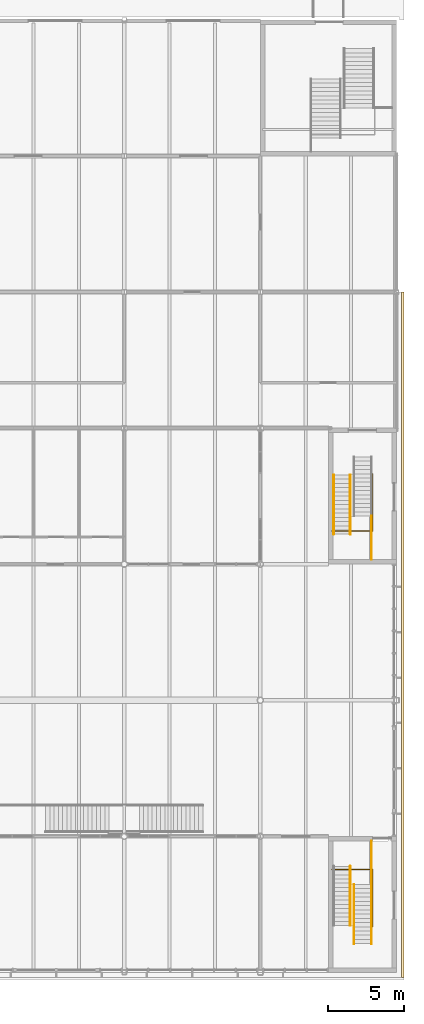
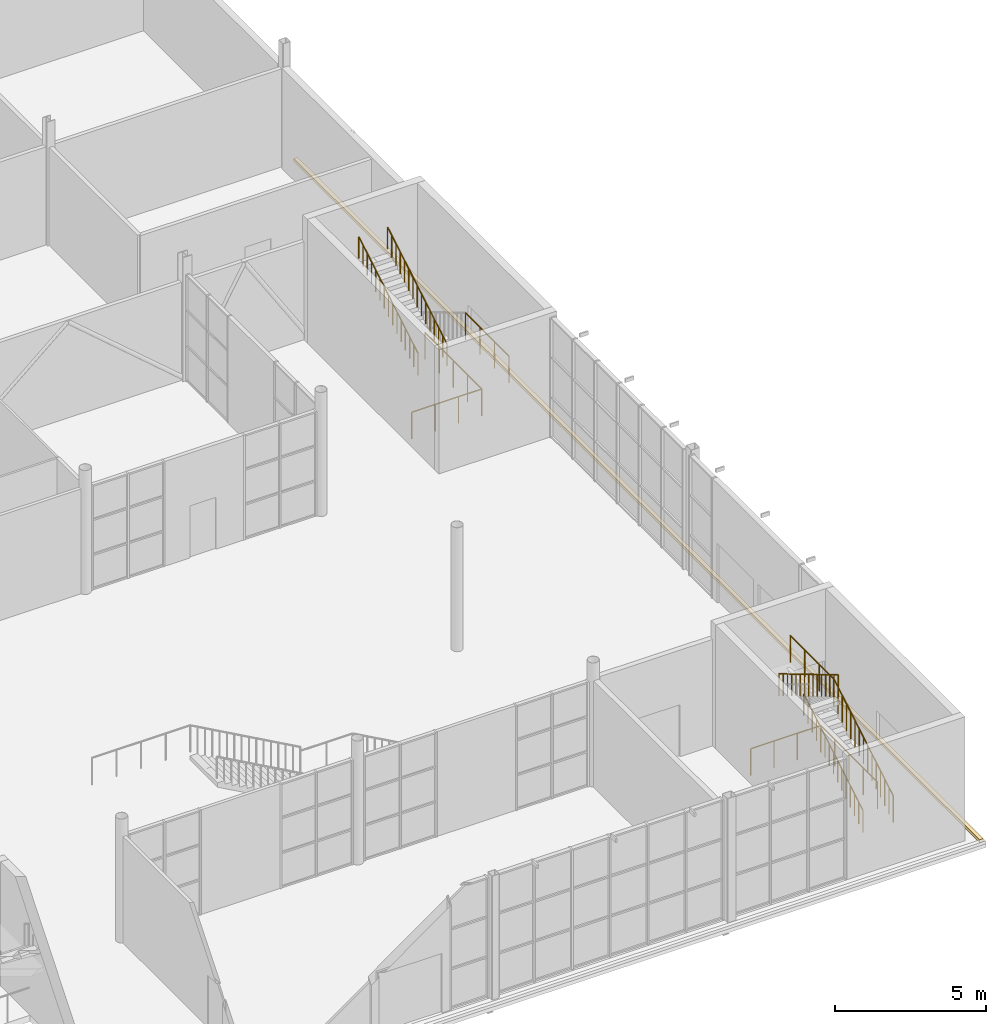
# One storey, part 59 of 63: 9 railings, 1 covering.
"""IFC4 building model written with IfcOpenShell, lengths in metres."""

import ifcopenshell
import ifcopenshell.guid

model = None  # the IFC model being written
_history = None  # IfcOwnerHistory: only IFC2X3 demands one
_inside = {}  # id of a spatial element -> (the spatial element, [elements in it])
_under = {}  # id of a project, library or spatial element -> (it, [spatial elements below it])
_declared = {}  # id of a project -> (the project, [libraries it declares])
_typed = {}  # id of a type object -> (the type object, [elements of that type])
_made_of = {}  # id of a material, layer set ... -> (it, [elements and type objects made of it])


def new_model(schema):
    """Start an empty IFC model of exactly this schema.

    Asked for "IFC4X3", IfcOpenShell would pick the latest addendum, in which some entities
    have other attributes; the version numbers below select the first issue.
    IFC2X3 requires an IfcOwnerHistory on every rooted entity: one is made here for all.
    """
    global model, _history
    if schema == "IFC4X3":
        model = ifcopenshell.file(schema_version=(4, 3, 0, 0))
    else:
        model = ifcopenshell.file(schema=schema)
    _inside.clear()
    _under.clear()
    _declared.clear()
    _typed.clear()
    _made_of.clear()
    _history = None
    if model.schema == "IFC2X3":
        org = make("IfcOrganization", Name="unknown")
        user = make(
            "IfcPersonAndOrganization",
            ThePerson=make("IfcPerson", FamilyName="unknown"),
            TheOrganization=org,
        )
        app = make(
            "IfcApplication",
            ApplicationDeveloper=org,
            Version="unknown",
            ApplicationFullName="unknown",
            ApplicationIdentifier="unknown",
        )
        _history = make(
            "IfcOwnerHistory",
            OwningUser=user,
            OwningApplication=app,
            ChangeAction="ADDED",
            CreationDate=0,
        )
    return model


def make(cls, **values):
    """One entity of the class cls with the attributes given. An attribute that is None is left unset."""
    return model.create_entity(
        cls, **{name: value for name, value in values.items() if value is not None}
    )


def rooted(cls, **values):
    """An entity with a GlobalId (a new one), such as an element, a storey or a relation."""
    return make(cls, GlobalId=ifcopenshell.guid.new(), OwnerHistory=_history, **values)


def si_unit(unit_type, name, prefix=None):
    """IfcSIUnit, for example si_unit("LENGTHUNIT", "METRE", prefix="MILLI")."""
    return make("IfcSIUnit", UnitType=unit_type, Prefix=prefix, Name=name)


def assignment(units):
    """IfcUnitAssignment: the units of a project."""
    return None if units is None else make("IfcUnitAssignment", Units=units)


def point(xyz):
    """IfcCartesianPoint."""
    return None if xyz is None else make("IfcCartesianPoint", Coordinates=xyz)


def direction(xyz):
    """IfcDirection."""
    return None if xyz is None else make("IfcDirection", DirectionRatios=xyz)


def frame(location, z_axis=None, x_axis=None):
    """IfcAxis2Placement3D, a coordinate frame: its origin and axes. An axis left out is left unset."""
    return make(
        "IfcAxis2Placement3D",
        Location=point(location),
        Axis=direction(z_axis),
        RefDirection=direction(x_axis),
    )


def frame_2d(location, x_axis=None):
    """IfcAxis2Placement2D, a coordinate frame in the plane: its origin and x axis."""
    return make(
        "IfcAxis2Placement2D", Location=point(location), RefDirection=direction(x_axis)
    )


def origin():
    """The frame at (0, 0, 0) with its axes left unset."""
    return frame((0.0, 0.0, 0.0))


def origin_2d():
    """The frame at (0, 0) in the plane with its x axis left unset."""
    return frame_2d((0.0, 0.0))


def place(relative_to, where):
    """IfcLocalPlacement: puts the frame where relative to a parent placement (None: the world)."""
    return make(
        "IfcLocalPlacement", PlacementRelTo=relative_to, RelativePlacement=where
    )


def context(
    kind, dimensions, precision=None, world=None, true_north=None, identifier=None
):
    """IfcGeometricRepresentationContext, for example the 3D "Model" context."""
    return make(
        "IfcGeometricRepresentationContext",
        ContextIdentifier=identifier,
        ContextType=kind,
        CoordinateSpaceDimension=dimensions,
        Precision=precision,
        WorldCoordinateSystem=world,
        TrueNorth=true_north,
    )


def subcontext(parent, identifier, kind, view, scale=None):
    """IfcGeometricRepresentationSubContext, for example "Body" below "Model"."""
    return make(
        "IfcGeometricRepresentationSubContext",
        ContextIdentifier=identifier,
        ContextType=kind,
        ParentContext=parent,
        TargetScale=scale,
        TargetView=view,
    )


def project(units=None, contexts=None):
    """IfcProject with its units and contexts."""
    return rooted(
        "IfcProject",
        Name="project",
        RepresentationContexts=contexts,
        UnitsInContext=assignment(units),
    )


def spatial(cls, under=None, at=None, **own):
    """A site, building, storey or space (cls), placed at a placement, below another one or the project."""
    s = rooted(cls, ObjectPlacement=at, **own)
    if under is not None:
        _under.setdefault(under.id(), (under, []))[1].append(s)
    return s


def polyline(points):
    """IfcPolyline through the points."""
    return make("IfcPolyline", Points=[point(p) for p in points])


def profile(cls, at=None, kind="AREA", **sizes):
    """A parametric profile (cls). Its sizes go by their IFC names, for example OverallWidth=200.0."""
    return make(cls, ProfileType=kind, Position=at, **sizes)


def circle(**sizes):
    """IfcCircleProfileDef."""
    return profile("IfcCircleProfileDef", **sizes)


def outline(outer, holes=None, kind="AREA"):
    """IfcArbitraryClosedProfileDef: a profile drawn as a closed curve; with holes, ...WithVoids."""
    if holes is None:
        return make("IfcArbitraryClosedProfileDef", ProfileType=kind, OuterCurve=outer)
    return make(
        "IfcArbitraryProfileDefWithVoids",
        ProfileType=kind,
        OuterCurve=outer,
        InnerCurves=holes,
    )


def extrude(swept, where, along, depth):
    """IfcExtrudedAreaSolid: the profile swept, set in the frame where, extruded along a direction by depth."""
    return make(
        "IfcExtrudedAreaSolid",
        SweptArea=swept,
        Position=where,
        ExtrudedDirection=direction(along),
        Depth=depth,
    )


def shape(context_of_items, identifier, shape_type, items):
    """IfcShapeRepresentation: the items that make up one representation, for example the "Body"."""
    return make(
        "IfcShapeRepresentation",
        ContextOfItems=context_of_items,
        RepresentationIdentifier=identifier,
        RepresentationType=shape_type,
        Items=items,
    )


def material(Name=None, Category=None):
    """IfcMaterial."""
    return make("IfcMaterial", Name=Name, Category=Category)


def layer(
    of_material, thickness, ventilated=None, Name=None, Category=None, Priority=None
):
    """IfcMaterialLayer: one layer of a wall or slab, of a material (None: an air gap)."""
    return make(
        "IfcMaterialLayer",
        Material=of_material,
        LayerThickness=thickness,
        IsVentilated=ventilated,
        Name=Name,
        Category=Category,
        Priority=Priority,
    )


def layer_set(layers, Name=None):
    """IfcMaterialLayerSet."""
    return make("IfcMaterialLayerSet", MaterialLayers=layers, LayerSetName=Name)


def made_of(thing, what):
    """Note that an element or type object is made of a material, layer set ...; save() writes the relation."""
    if what is not None:
        _made_of.setdefault(what.id(), (what, []))[1].append(thing)
    return thing


def type_object(cls, material=None, **own):
    """A type object (cls), such as IfcWallType, which elements share."""
    return made_of(rooted(cls, **own), material)


def element(
    cls,
    number,
    at=None,
    inside=None,
    cuts=None,
    type_object=None,
    material=None,
    context=None,
    identifier="Body",
    shape_type=None,
    held_by="IfcProductDefinitionShape",
    body=None,
    shapes=None,
    **own,
):
    """One element of the class cls, such as IfcWall. Its Tag is "e" and its number.

    at: its placement. inside: the storey or other place that contains it. cuts: it is an
    opening in that element (IfcRelVoidsElement). A single representation is given by context,
    identifier, shape_type and body (its items); several are given by shapes. held_by: the class
    of the entity that holds the representations. save() writes the other relations.
    """
    e = rooted(cls, Tag="e%d" % number, ObjectPlacement=at, **own)
    if body is not None:
        shapes = [shape(context, identifier, shape_type, body)]
    if shapes is not None:
        e.Representation = make(held_by, Representations=shapes)
    if inside is not None:
        _inside.setdefault(inside.id(), (inside, []))[1].append(e)
    if cuts is not None:
        rooted(
            "IfcRelVoidsElement", RelatingBuildingElement=cuts, RelatedOpeningElement=e
        )
    if type_object is not None:
        _typed.setdefault(type_object.id(), (type_object, []))[1].append(e)
    return made_of(e, material)


def aggregate(whole, parts):
    """IfcRelAggregates: a whole, such as a stair, and the parts it consists of."""
    return rooted("IfcRelAggregates", RelatingObject=whole, RelatedObjects=parts)


def save(model, path):
    """Write the relations noted so far, then the file.

    IfcRelAggregates (storeys below a building ...), IfcRelContainedInSpatialStructure (elements
    in a storey), IfcRelDefinesByType, IfcRelAssociatesMaterial and IfcRelDeclares: one each for
    every whole, place, type object, material and project.
    """
    for whole, parts in _under.values():
        aggregate(whole, parts)
    for where, things in _inside.values():
        rooted(
            "IfcRelContainedInSpatialStructure",
            RelatedElements=things,
            RelatingStructure=where,
        )
    for kind, things in _typed.values():
        rooted("IfcRelDefinesByType", RelatedObjects=things, RelatingType=kind)
    for what, things in _made_of.values():
        rooted("IfcRelAssociatesMaterial", RelatedObjects=things, RelatingMaterial=what)
    for by, libraries in _declared.values():
        rooted("IfcRelDeclares", RelatingContext=by, RelatedDefinitions=libraries)
    model.write(path)


model = new_model("IFC4")

# Units and contexts
model_context = context("Model", 3, precision=1e-05, world=origin(), true_north=direction((0.0, 1.0)))
body_context = subcontext(model_context, "Body", "Model", "MODEL_VIEW")
ifc_project = project(units=[si_unit("LENGTHUNIT", "METRE"), si_unit("AREAUNIT", "SQUARE_METRE"), si_unit("VOLUMEUNIT", "CUBIC_METRE"), si_unit("PLANEANGLEUNIT", "RADIAN"), si_unit("MASSUNIT", "GRAM", prefix="KILO")], contexts=[model_context])

# Site, building, storey
site_placement = place(None, origin())
site = spatial("IfcSite", under=ifc_project, at=site_placement, CompositionType="ELEMENT")
building_placement = place(site_placement, origin())
building = spatial("IfcBuilding", under=site, at=building_placement, Name="Halyard Row Museum", CompositionType="ELEMENT")
storey_placement = place(building_placement, origin())
storey = spatial("IfcBuildingStorey", under=building, at=storey_placement, Name="L00", CompositionType="ELEMENT", Elevation=0.0)

# Railings
ifc_material_1 = material(Name="Steel Grade 300", Category="steel")
railing_type_1 = type_object("IfcRailingType", Name="Guard GR2 steel balustrade 1100", PredefinedType="GUARDRAIL", material=ifc_material_1)
railing_1_placement = place(storey_placement, frame((106.35009765625, 1.89990234375, 0.166748046875)))
element("IfcRailing", 1, at=railing_1_placement, inside=storey, type_object=railing_type_1, Name="Guard GR052", PredefinedType="GUARDRAIL", context=body_context, shape_type="SweptSolid", body=[
    extrude(circle(Radius=0.02392578125, at=origin_2d()), frame((0.0, 0.0, 1.076171875), z_axis=(0.0, 0.859535888021, 0.511075392877), x_axis=(-1.0, 0.0, 0.0)), (0.0, 0.0, 1.0), 0.32568359375),
    extrude(circle(Radius=0.02392578125, at=origin_2d()), frame((0.0, 0.280029296875, 1.24267578125), z_axis=(0.0, 0.859206643714, 0.511628716353), x_axis=(-1.0, 0.0, 0.0)), (0.0, 0.0, 1.0), 0.325927734375),
    extrude(circle(Radius=0.02392578125, at=origin_2d()), frame((0.0, 0.56005859375, 1.4091796875), z_axis=(0.0, 0.859206643714, 0.511628716353), x_axis=(-1.0, 0.0, 0.0)), (0.0, 0.0, 1.0), 0.325927734375),
    extrude(circle(Radius=0.02392578125, at=origin_2d()), frame((0.0, 0.840087890625, 1.576171875), z_axis=(0.0, 0.859535888021, 0.511075392877), x_axis=(-1.0, 0.0, 0.0)), (0.0, 0.0, 1.0), 0.32568359375),
    extrude(circle(Radius=0.02392578125, at=origin_2d()), frame((0.0, 1.1201171875, 1.74267578125), z_axis=(0.0, 0.859206643714, 0.511628716353), x_axis=(-1.0, 0.0, 0.0)), (0.0, 0.0, 1.0), 0.325927734375),
    extrude(circle(Radius=0.02392578125, at=origin_2d()), frame((0.0, 1.400146484375, 1.9091796875), z_axis=(0.0, 0.859206643714, 0.511628716353), x_axis=(-1.0, 0.0, 0.0)), (0.0, 0.0, 1.0), 0.325927734375),
    extrude(circle(Radius=0.02392578125, at=origin_2d()), frame((0.0, 1.68017578125, 2.076171875), z_axis=(0.0, 0.859535888021, 0.511075392877), x_axis=(-1.0, 0.0, 0.0)), (0.0, 0.0, 1.0), 0.32568359375),
    extrude(circle(Radius=0.02392578125, at=origin_2d()), frame((0.0, 1.960205078125, 2.24267578125), z_axis=(0.0, 0.859010369412, 0.511958187006), x_axis=(-1.0, 0.0, 0.0)), (0.0, 0.0, 1.0), 0.32568359375),
    extrude(circle(Radius=0.02392578125, at=origin_2d()), frame((0.0, 2.239990234375, 2.4091796875), z_axis=(0.0, 0.859206643714, 0.511628716353), x_axis=(-1.0, 0.0, 0.0)), (0.0, 0.0, 1.0), 0.325927734375),
    extrude(circle(Radius=0.02392578125, at=origin_2d()), frame((0.0, 2.52001953125, 2.576171875), z_axis=(0.0, 0.859535888021, 0.511075392877), x_axis=(-1.0, 0.0, 0.0)), (0.0, 0.0, 1.0), 0.32568359375),
    extrude(circle(Radius=0.02392578125, at=origin_2d()), frame((0.0, 2.800048828125, 2.74267578125), z_axis=(0.0, 0.859206643714, 0.511628716353), x_axis=(-1.0, 0.0, 0.0)), (0.0, 0.0, 1.0), 0.325927734375),
    extrude(circle(Radius=0.02392578125, at=origin_2d()), frame((0.0, 3.080078125, 2.9091796875), z_axis=(0.0, 0.859206643714, 0.511628716353), x_axis=(-1.0, 0.0, 0.0)), (0.0, 0.0, 1.0), 0.325927734375),
    extrude(circle(Radius=0.02392578125, at=origin_2d()), frame((0.0, 3.360107421875, 3.076171875), z_axis=(0.0, 0.859535888021, 0.511075392877), x_axis=(-1.0, 0.0, 0.0)), (0.0, 0.0, 1.0), 0.32568359375),
    extrude(circle(Radius=0.02392578125, at=origin_2d()), frame((0.0, 3.64013671875, 3.24267578125), z_axis=(0.0, 0.859206643714, 0.511628716353), x_axis=(-1.0, 0.0, 0.0)), (0.0, 0.0, 1.0), 0.325927734375),
    extrude(circle(Radius=0.02099609375, at=origin_2d()), origin(), (0.0, 0.0, 1.0), 1.052001953125),
    extrude(circle(Radius=0.02099609375, at=origin_2d()), frame((0.0, 0.280029296875, 0.16650390625)), (0.0, 0.0, 1.0), 1.052001953125),
    extrude(circle(Radius=0.02099609375, at=origin_2d()), frame((0.0, 0.56005859375, 0.333251953125)), (0.0, 0.0, 1.0), 1.052001953125),
    extrude(circle(Radius=0.02099609375, at=origin_2d()), frame((0.0, 0.840087890625, 0.5)), (0.0, 0.0, 1.0), 1.052001953125),
    extrude(circle(Radius=0.02099609375, at=origin_2d()), frame((0.0, 1.1201171875, 0.66650390625)), (0.0, 0.0, 1.0), 1.052001953125),
    extrude(circle(Radius=0.02099609375, at=origin_2d()), frame((0.0, 1.400146484375, 0.833251953125)), (0.0, 0.0, 1.0), 1.052001953125),
    extrude(circle(Radius=0.02099609375, at=origin_2d()), frame((0.0, 1.68017578125, 1.0)), (0.0, 0.0, 1.0), 1.052001953125),
    extrude(circle(Radius=0.02099609375, at=origin_2d()), frame((0.0, 1.960205078125, 1.16650390625)), (0.0, 0.0, 1.0), 1.052001953125),
    extrude(circle(Radius=0.02099609375, at=origin_2d()), frame((0.0, 2.239990234375, 1.333251953125)), (0.0, 0.0, 1.0), 1.052001953125),
    extrude(circle(Radius=0.02099609375, at=origin_2d()), frame((0.0, 2.52001953125, 1.5)), (0.0, 0.0, 1.0), 1.052001953125),
    extrude(circle(Radius=0.02099609375, at=origin_2d()), frame((0.0, 2.800048828125, 1.66650390625)), (0.0, 0.0, 1.0), 1.052001953125),
    extrude(circle(Radius=0.02099609375, at=origin_2d()), frame((0.0, 3.080078125, 1.833251953125)), (0.0, 0.0, 1.0), 1.052001953125),
    extrude(circle(Radius=0.02099609375, at=origin_2d()), frame((0.0, 3.360107421875, 2.0)), (0.0, 0.0, 1.0), 1.052001953125),
    extrude(circle(Radius=0.02099609375, at=origin_2d()), frame((0.0, 3.64013671875, 2.16650390625)), (0.0, 0.0, 1.0), 1.052001953125),
    extrude(circle(Radius=0.02099609375, at=origin_2d()), frame((0.0, 3.920166015625, 2.333251953125)), (0.0, 0.0, 1.0), 1.052001953125),
])
railing_2_placement = place(storey_placement, frame((106.35009765625, 5.820068359375, 2.5)))
element("IfcRailing", 2, at=railing_2_placement, inside=storey, type_object=railing_type_1, Name="Guard GR053", PredefinedType="GUARDRAIL", context=body_context, shape_type="SweptSolid", body=[
    extrude(circle(Radius=0.02392578125, at=origin_2d()), frame((0.0, 0.0, 1.076171875), z_axis=(0.0, 1.0, 0.0), x_axis=(-1.0, 0.0, 0.0)), (0.0, 0.0, 1.0), 2.8798828125),
    extrude(circle(Radius=0.02099609375, at=origin_2d()), origin(), (0.0, 0.0, 1.0), 1.052001953125),
    extrude(circle(Radius=0.02099609375, at=origin_2d()), frame((0.0, 0.9599609375, 0.0)), (0.0, 0.0, 1.0), 1.052001953125),
    extrude(circle(Radius=0.02099609375, at=origin_2d()), frame((0.0, 1.919921875, 0.0)), (0.0, 0.0, 1.0), 1.052001953125),
    extrude(circle(Radius=0.02099609375, at=origin_2d()), frame((0.0, 2.8798828125, 0.0)), (0.0, 0.0, 1.0), 1.052001953125),
])
railing_3_placement = place(storey_placement, frame((106.35009765625, 30.179931640625, 2.5)))
element("IfcRailing", 3, at=railing_3_placement, inside=storey, type_object=railing_type_1, Name="Guard GR066", PredefinedType="GUARDRAIL", context=body_context, shape_type="SweptSolid", body=[
    extrude(circle(Radius=0.02392578125, at=origin_2d()), frame((0.0, 0.0, 1.076171875), z_axis=(0.0, -1.0, 0.0), x_axis=(1.0, 0.0, 0.0)), (0.0, 0.0, 1.0), 2.8798828125),
    extrude(circle(Radius=0.02099609375, at=origin_2d()), origin(), (0.0, 0.0, 1.0), 1.052001953125),
    extrude(circle(Radius=0.02099609375, at=origin_2d()), frame((0.0, -0.9599609375, 0.0)), (0.0, 0.0, 1.0), 1.052001953125),
    extrude(circle(Radius=0.02099609375, at=origin_2d()), frame((0.0, -1.919921875, 0.0)), (0.0, 0.0, 1.0), 1.052001953125),
    extrude(circle(Radius=0.02099609375, at=origin_2d()), frame((0.0, -2.8798828125, 0.0)), (0.0, 0.0, 1.0), 1.052001953125),
])
railing_4_placement = place(storey_placement, frame((103.739990234375, 6.800048828125, 0.0)))
element("IfcRailing", 4, at=railing_4_placement, inside=storey, type_object=railing_type_1, Name="Guard GR160", PredefinedType="GUARDRAIL", context=body_context, shape_type="SweptSolid", body=[
    extrude(circle(Radius=0.02392578125, at=origin_2d()), frame((0.0, 0.0, 1.076171875), z_axis=(1.0, 0.0, 0.0), x_axis=(0.0, 1.0, 0.0)), (0.0, 0.0, 1.0), 2.669921875),
    extrude(circle(Radius=0.02392578125, at=origin_2d()), frame((2.669921875, 0.0, 1.076171875), z_axis=(0.0, -1.0, 0.0), x_axis=(1.0, 0.0, 0.0)), (0.0, 0.0, 1.0), 3.760009765625),
    extrude(circle(Radius=0.02099609375, at=origin_2d()), origin(), (0.0, 0.0, 1.0), 1.052001953125),
    extrude(circle(Radius=0.02099609375, at=origin_2d()), frame((0.889892578125, 0.0, 0.0)), (0.0, 0.0, 1.0), 1.052001953125),
    extrude(circle(Radius=0.02099609375, at=origin_2d()), frame((1.780029296875, 0.0, 0.0)), (0.0, 0.0, 1.0), 1.052001953125),
    extrude(circle(Radius=0.02099609375, at=origin_2d()), frame((2.669921875, 0.0, 0.0)), (0.0, 0.0, 1.0), 1.052001953125),
    extrude(circle(Radius=0.02099609375, at=origin_2d()), frame((2.669921875, -0.93994140625, 0.0)), (0.0, 0.0, 1.0), 1.052001953125),
    extrude(circle(Radius=0.02099609375, at=origin_2d()), frame((2.669921875, -1.8798828125, 0.0)), (0.0, 0.0, 1.0), 1.052001953125),
    extrude(circle(Radius=0.02099609375, at=origin_2d()), frame((2.669921875, -2.820068359375, 0.0)), (0.0, 0.0, 1.0), 1.052001953125),
    extrude(circle(Radius=0.02099609375, at=origin_2d()), frame((2.669921875, -3.760009765625, 0.0)), (0.0, 0.0, 1.0), 1.052001953125),
])
railing_5_placement = place(storey_placement, frame((106.409912109375, 32.9599609375, 0.0)))
element("IfcRailing", 5, at=railing_5_placement, inside=storey, type_object=railing_type_1, Name="Guard GR165", PredefinedType="GUARDRAIL", context=body_context, shape_type="SweptSolid", body=[
    extrude(circle(Radius=0.02392578125, at=origin_2d()), frame((0.0, 0.0, 1.076171875), z_axis=(0.0, -1.0, 0.0), x_axis=(1.0, 0.0, 0.0)), (0.0, 0.0, 1.0), 3.760009765625),
    extrude(circle(Radius=0.02392578125, at=origin_2d()), frame((0.0, -3.760009765625, 1.076171875), z_axis=(-1.0, 0.0, 0.0), x_axis=(0.0, -1.0, 0.0)), (0.0, 0.0, 1.0), 2.669921875),
    extrude(circle(Radius=0.02099609375, at=origin_2d()), origin(), (0.0, 0.0, 1.0), 1.052001953125),
    extrude(circle(Radius=0.02099609375, at=origin_2d()), frame((0.0, -0.93994140625, 0.0)), (0.0, 0.0, 1.0), 1.052001953125),
    extrude(circle(Radius=0.02099609375, at=origin_2d()), frame((0.0, -1.8798828125, 0.0)), (0.0, 0.0, 1.0), 1.052001953125),
    extrude(circle(Radius=0.02099609375, at=origin_2d()), frame((0.0, -2.820068359375, 0.0)), (0.0, 0.0, 1.0), 1.052001953125),
    extrude(circle(Radius=0.02099609375, at=origin_2d()), frame((0.0, -3.760009765625, 0.0)), (0.0, 0.0, 1.0), 1.052001953125),
    extrude(circle(Radius=0.02099609375, at=origin_2d()), frame((-0.889892578125, -3.760009765625, 0.0)), (0.0, 0.0, 1.0), 1.052001953125),
    extrude(circle(Radius=0.02099609375, at=origin_2d()), frame((-1.780029296875, -3.760009765625, 0.0)), (0.0, 0.0, 1.0), 1.052001953125),
    extrude(circle(Radius=0.02099609375, at=origin_2d()), frame((-2.669921875, -3.760009765625, 0.0)), (0.0, 0.0, 1.0), 1.052001953125),
])
ifc_material_2 = material(Name="Steel Grade 300", Category="steel")
railing_type_2 = type_object("IfcRailingType", Name="Handrail HR2 steel 900", PredefinedType="HANDRAIL", material=ifc_material_2)
railing_6_placement = place(storey_placement, frame((105.199951171875, 1.89990234375, 0.166748046875)))
element("IfcRailing", 6, at=railing_6_placement, inside=storey, type_object=railing_type_2, Name="Handrail HR076", PredefinedType="HANDRAIL", context=body_context, shape_type="SweptSolid", body=[
    extrude(circle(Radius=0.02392578125, at=origin_2d()), frame((0.0, 0.0, 0.8759765625), z_axis=(0.0, 0.859535888021, 0.511075392877), x_axis=(-1.0, 0.0, 0.0)), (0.0, 0.0, 1.0), 0.32568359375),
    extrude(circle(Radius=0.02392578125, at=origin_2d()), frame((0.0, 0.280029296875, 1.04248046875), z_axis=(0.0, 0.859206643714, 0.511628716353), x_axis=(-1.0, 0.0, 0.0)), (0.0, 0.0, 1.0), 0.325927734375),
    extrude(circle(Radius=0.02392578125, at=origin_2d()), frame((0.0, 0.56005859375, 1.208984375), z_axis=(0.0, 0.859206643714, 0.511628716353), x_axis=(-1.0, 0.0, 0.0)), (0.0, 0.0, 1.0), 0.325927734375),
    extrude(circle(Radius=0.02392578125, at=origin_2d()), frame((0.0, 0.840087890625, 1.3759765625), z_axis=(0.0, 0.859535888021, 0.511075392877), x_axis=(-1.0, 0.0, 0.0)), (0.0, 0.0, 1.0), 0.32568359375),
    extrude(circle(Radius=0.02392578125, at=origin_2d()), frame((0.0, 1.1201171875, 1.54248046875), z_axis=(0.0, 0.859206643714, 0.511628716353), x_axis=(-1.0, 0.0, 0.0)), (0.0, 0.0, 1.0), 0.325927734375),
    extrude(circle(Radius=0.02392578125, at=origin_2d()), frame((0.0, 1.400146484375, 1.708984375), z_axis=(0.0, 0.859206643714, 0.511628716353), x_axis=(-1.0, 0.0, 0.0)), (0.0, 0.0, 1.0), 0.325927734375),
    extrude(circle(Radius=0.02392578125, at=origin_2d()), frame((0.0, 1.68017578125, 1.8759765625), z_axis=(0.0, 0.859535888021, 0.511075392877), x_axis=(-1.0, 0.0, 0.0)), (0.0, 0.0, 1.0), 0.32568359375),
    extrude(circle(Radius=0.02392578125, at=origin_2d()), frame((0.0, 1.960205078125, 2.04248046875), z_axis=(0.0, 0.859010369412, 0.511958187006), x_axis=(-1.0, 0.0, 0.0)), (0.0, 0.0, 1.0), 0.32568359375),
    extrude(circle(Radius=0.02392578125, at=origin_2d()), frame((0.0, 2.239990234375, 2.208984375), z_axis=(0.0, 0.859206643714, 0.511628716353), x_axis=(-1.0, 0.0, 0.0)), (0.0, 0.0, 1.0), 0.325927734375),
    extrude(circle(Radius=0.02392578125, at=origin_2d()), frame((0.0, 2.52001953125, 2.3759765625), z_axis=(0.0, 0.859535888021, 0.511075392877), x_axis=(-1.0, 0.0, 0.0)), (0.0, 0.0, 1.0), 0.32568359375),
    extrude(circle(Radius=0.02392578125, at=origin_2d()), frame((0.0, 2.800048828125, 2.54248046875), z_axis=(0.0, 0.859206643714, 0.511628716353), x_axis=(-1.0, 0.0, 0.0)), (0.0, 0.0, 1.0), 0.325927734375),
    extrude(circle(Radius=0.02392578125, at=origin_2d()), frame((0.0, 3.080078125, 2.708984375), z_axis=(0.0, 0.859206643714, 0.511628716353), x_axis=(-1.0, 0.0, 0.0)), (0.0, 0.0, 1.0), 0.325927734375),
    extrude(circle(Radius=0.02392578125, at=origin_2d()), frame((0.0, 3.360107421875, 2.8759765625), z_axis=(0.0, 0.859535888021, 0.511075392877), x_axis=(-1.0, 0.0, 0.0)), (0.0, 0.0, 1.0), 0.32568359375),
    extrude(circle(Radius=0.02392578125, at=origin_2d()), frame((0.0, 3.64013671875, 3.04248046875), z_axis=(0.0, 0.859206643714, 0.511628716353), x_axis=(-1.0, 0.0, 0.0)), (0.0, 0.0, 1.0), 0.325927734375),
    extrude(circle(Radius=0.02099609375, at=origin_2d()), origin(), (0.0, 0.0, 1.0), 0.851806640625),
    extrude(circle(Radius=0.02099609375, at=origin_2d()), frame((0.0, 0.280029296875, 0.16650390625)), (0.0, 0.0, 1.0), 0.851806640625),
    extrude(circle(Radius=0.02099609375, at=origin_2d()), frame((0.0, 0.56005859375, 0.333251953125)), (0.0, 0.0, 1.0), 0.851806640625),
    extrude(circle(Radius=0.02099609375, at=origin_2d()), frame((0.0, 0.840087890625, 0.5)), (0.0, 0.0, 1.0), 0.851806640625),
    extrude(circle(Radius=0.02099609375, at=origin_2d()), frame((0.0, 1.1201171875, 0.66650390625)), (0.0, 0.0, 1.0), 0.851806640625),
    extrude(circle(Radius=0.02099609375, at=origin_2d()), frame((0.0, 1.400146484375, 0.833251953125)), (0.0, 0.0, 1.0), 0.851806640625),
    extrude(circle(Radius=0.02099609375, at=origin_2d()), frame((0.0, 1.68017578125, 1.0)), (0.0, 0.0, 1.0), 0.851806640625),
    extrude(circle(Radius=0.02099609375, at=origin_2d()), frame((0.0, 1.960205078125, 1.16650390625)), (0.0, 0.0, 1.0), 0.851806640625),
    extrude(circle(Radius=0.02099609375, at=origin_2d()), frame((0.0, 2.239990234375, 1.333251953125)), (0.0, 0.0, 1.0), 0.851806640625),
    extrude(circle(Radius=0.02099609375, at=origin_2d()), frame((0.0, 2.52001953125, 1.5)), (0.0, 0.0, 1.0), 0.851806640625),
    extrude(circle(Radius=0.02099609375, at=origin_2d()), frame((0.0, 2.800048828125, 1.66650390625)), (0.0, 0.0, 1.0), 0.851806640625),
    extrude(circle(Radius=0.02099609375, at=origin_2d()), frame((0.0, 3.080078125, 1.833251953125)), (0.0, 0.0, 1.0), 0.851806640625),
    extrude(circle(Radius=0.02099609375, at=origin_2d()), frame((0.0, 3.360107421875, 2.0)), (0.0, 0.0, 1.0), 0.851806640625),
    extrude(circle(Radius=0.02099609375, at=origin_2d()), frame((0.0, 3.64013671875, 2.16650390625)), (0.0, 0.0, 1.0), 0.851806640625),
    extrude(circle(Radius=0.02099609375, at=origin_2d()), frame((0.0, 3.920166015625, 2.333251953125)), (0.0, 0.0, 1.0), 0.851806640625),
])
railing_7_placement = place(storey_placement, frame((104.949951171875, 7.02001953125, 2.666748046875)))
element("IfcRailing", 7, at=railing_7_placement, inside=storey, type_object=railing_type_2, Name="Handrail HR078", PredefinedType="HANDRAIL", context=body_context, shape_type="SweptSolid", body=[
    extrude(circle(Radius=0.02392578125, at=origin_2d()), frame((0.0, 0.0, 0.8759765625), z_axis=(0.0, -0.859535888021, 0.511075392877), x_axis=(1.0, 0.0, 0.0)), (0.0, 0.0, 1.0), 0.32568359375),
    extrude(circle(Radius=0.02392578125, at=origin_2d()), frame((0.0, -0.280029296875, 1.04248046875), z_axis=(0.0, -0.859206643714, 0.511628716353), x_axis=(1.0, 0.0, 0.0)), (0.0, 0.0, 1.0), 0.325927734375),
    extrude(circle(Radius=0.02392578125, at=origin_2d()), frame((0.0, -0.56005859375, 1.208984375), z_axis=(0.0, -0.859206643714, 0.511628716353), x_axis=(1.0, 0.0, 0.0)), (0.0, 0.0, 1.0), 0.325927734375),
    extrude(circle(Radius=0.02392578125, at=origin_2d()), frame((0.0, -0.840087890625, 1.3759765625), z_axis=(0.0, -0.859535888021, 0.511075392877), x_axis=(1.0, 0.0, 0.0)), (0.0, 0.0, 1.0), 0.32568359375),
    extrude(circle(Radius=0.02392578125, at=origin_2d()), frame((0.0, -1.1201171875, 1.54248046875), z_axis=(0.0, -0.859010369412, 0.511958187006), x_axis=(1.0, 0.0, 0.0)), (0.0, 0.0, 1.0), 0.32568359375),
    extrude(circle(Radius=0.02392578125, at=origin_2d()), frame((0.0, -1.39990234375, 1.708984375), z_axis=(0.0, -0.859206643714, 0.511628716353), x_axis=(1.0, 0.0, 0.0)), (0.0, 0.0, 1.0), 0.325927734375),
    extrude(circle(Radius=0.02392578125, at=origin_2d()), frame((0.0, -1.679931640625, 1.8759765625), z_axis=(0.0, -0.859535888021, 0.511075392877), x_axis=(1.0, 0.0, 0.0)), (0.0, 0.0, 1.0), 0.32568359375),
    extrude(circle(Radius=0.02392578125, at=origin_2d()), frame((0.0, -1.9599609375, 2.04248046875), z_axis=(0.0, -0.859206643714, 0.511628716353), x_axis=(1.0, 0.0, 0.0)), (0.0, 0.0, 1.0), 0.325927734375),
    extrude(circle(Radius=0.02392578125, at=origin_2d()), frame((0.0, -2.239990234375, 2.208984375), z_axis=(0.0, -0.859206643714, 0.511628716353), x_axis=(1.0, 0.0, 0.0)), (0.0, 0.0, 1.0), 0.325927734375),
    extrude(circle(Radius=0.02392578125, at=origin_2d()), frame((0.0, -2.52001953125, 2.3759765625), z_axis=(0.0, -0.859535888021, 0.511075392877), x_axis=(1.0, 0.0, 0.0)), (0.0, 0.0, 1.0), 0.32568359375),
    extrude(circle(Radius=0.02392578125, at=origin_2d()), frame((0.0, -2.800048828125, 2.54248046875), z_axis=(0.0, -0.859206643714, 0.511628716353), x_axis=(1.0, 0.0, 0.0)), (0.0, 0.0, 1.0), 0.325927734375),
    extrude(circle(Radius=0.02392578125, at=origin_2d()), frame((0.0, -3.080078125, 2.708984375), z_axis=(0.0, -0.859206643714, 0.511628716353), x_axis=(1.0, 0.0, 0.0)), (0.0, 0.0, 1.0), 0.325927734375),
    extrude(circle(Radius=0.02392578125, at=origin_2d()), frame((0.0, -3.360107421875, 2.8759765625), z_axis=(0.0, -0.859535888021, 0.511075392877), x_axis=(1.0, 0.0, 0.0)), (0.0, 0.0, 1.0), 0.32568359375),
    extrude(circle(Radius=0.02392578125, at=origin_2d()), frame((0.0, -3.64013671875, 3.04248046875), z_axis=(0.0, -0.859010369412, 0.511958187006), x_axis=(1.0, 0.0, 0.0)), (0.0, 0.0, 1.0), 0.32568359375),
    extrude(circle(Radius=0.02099609375, at=origin_2d()), origin(), (0.0, 0.0, 1.0), 0.851806640625),
    extrude(circle(Radius=0.02099609375, at=origin_2d()), frame((0.0, -0.280029296875, 0.16650390625)), (0.0, 0.0, 1.0), 0.851806640625),
    extrude(circle(Radius=0.02099609375, at=origin_2d()), frame((0.0, -0.56005859375, 0.333251953125)), (0.0, 0.0, 1.0), 0.851806640625),
    extrude(circle(Radius=0.02099609375, at=origin_2d()), frame((0.0, -0.840087890625, 0.5)), (0.0, 0.0, 1.0), 0.851806640625),
    extrude(circle(Radius=0.02099609375, at=origin_2d()), frame((0.0, -1.1201171875, 0.66650390625)), (0.0, 0.0, 1.0), 0.851806640625),
    extrude(circle(Radius=0.02099609375, at=origin_2d()), frame((0.0, -1.39990234375, 0.833251953125)), (0.0, 0.0, 1.0), 0.851806640625),
    extrude(circle(Radius=0.02099609375, at=origin_2d()), frame((0.0, -1.679931640625, 1.0)), (0.0, 0.0, 1.0), 0.851806640625),
    extrude(circle(Radius=0.02099609375, at=origin_2d()), frame((0.0, -1.9599609375, 1.16650390625)), (0.0, 0.0, 1.0), 0.851806640625),
    extrude(circle(Radius=0.02099609375, at=origin_2d()), frame((0.0, -2.239990234375, 1.333251953125)), (0.0, 0.0, 1.0), 0.851806640625),
    extrude(circle(Radius=0.02099609375, at=origin_2d()), frame((0.0, -2.52001953125, 1.5)), (0.0, 0.0, 1.0), 0.851806640625),
    extrude(circle(Radius=0.02099609375, at=origin_2d()), frame((0.0, -2.800048828125, 1.66650390625)), (0.0, 0.0, 1.0), 0.851806640625),
    extrude(circle(Radius=0.02099609375, at=origin_2d()), frame((0.0, -3.080078125, 1.833251953125)), (0.0, 0.0, 1.0), 0.851806640625),
    extrude(circle(Radius=0.02099609375, at=origin_2d()), frame((0.0, -3.360107421875, 2.0)), (0.0, 0.0, 1.0), 0.851806640625),
    extrude(circle(Radius=0.02099609375, at=origin_2d()), frame((0.0, -3.64013671875, 2.16650390625)), (0.0, 0.0, 1.0), 0.851806640625),
    extrude(circle(Radius=0.02099609375, at=origin_2d()), frame((0.0, -3.919921875, 2.333251953125)), (0.0, 0.0, 1.0), 0.851806640625),
])
railing_8_placement = place(storey_placement, frame((103.85009765625, 28.97998046875, 2.666748046875)))
element("IfcRailing", 8, at=railing_8_placement, inside=storey, type_object=railing_type_2, Name="Handrail HR095", PredefinedType="HANDRAIL", context=body_context, shape_type="SweptSolid", body=[
    extrude(circle(Radius=0.02392578125, at=origin_2d()), frame((0.0, 0.0, 0.8759765625), z_axis=(0.0, 0.859535888021, 0.511075392877), x_axis=(-1.0, 0.0, 0.0)), (0.0, 0.0, 1.0), 0.32568359375),
    extrude(circle(Radius=0.02392578125, at=origin_2d()), frame((0.0, 0.280029296875, 1.04248046875), z_axis=(0.0, 0.859206643714, 0.511628716353), x_axis=(-1.0, 0.0, 0.0)), (0.0, 0.0, 1.0), 0.325927734375),
    extrude(circle(Radius=0.02392578125, at=origin_2d()), frame((0.0, 0.56005859375, 1.208984375), z_axis=(0.0, 0.859206643714, 0.511628716353), x_axis=(-1.0, 0.0, 0.0)), (0.0, 0.0, 1.0), 0.325927734375),
    extrude(circle(Radius=0.02392578125, at=origin_2d()), frame((0.0, 0.840087890625, 1.3759765625), z_axis=(0.0, 0.859535888021, 0.511075392877), x_axis=(-1.0, 0.0, 0.0)), (0.0, 0.0, 1.0), 0.32568359375),
    extrude(circle(Radius=0.02392578125, at=origin_2d()), frame((0.0, 1.1201171875, 1.54248046875), z_axis=(0.0, 0.859010369412, 0.511958187006), x_axis=(-1.0, 0.0, 0.0)), (0.0, 0.0, 1.0), 0.32568359375),
    extrude(circle(Radius=0.02392578125, at=origin_2d()), frame((0.0, 1.39990234375, 1.708984375), z_axis=(0.0, 0.859206643714, 0.511628716353), x_axis=(-1.0, 0.0, 0.0)), (0.0, 0.0, 1.0), 0.325927734375),
    extrude(circle(Radius=0.02392578125, at=origin_2d()), frame((0.0, 1.679931640625, 1.8759765625), z_axis=(0.0, 0.859535888021, 0.511075392877), x_axis=(-1.0, 0.0, 0.0)), (0.0, 0.0, 1.0), 0.32568359375),
    extrude(circle(Radius=0.02392578125, at=origin_2d()), frame((0.0, 1.9599609375, 2.04248046875), z_axis=(0.0, 0.859206643714, 0.511628716353), x_axis=(-1.0, 0.0, 0.0)), (0.0, 0.0, 1.0), 0.325927734375),
    extrude(circle(Radius=0.02392578125, at=origin_2d()), frame((0.0, 2.239990234375, 2.208984375), z_axis=(0.0, 0.859206643714, 0.511628716353), x_axis=(-1.0, 0.0, 0.0)), (0.0, 0.0, 1.0), 0.325927734375),
    extrude(circle(Radius=0.02392578125, at=origin_2d()), frame((0.0, 2.52001953125, 2.3759765625), z_axis=(0.0, 0.859535888021, 0.511075392877), x_axis=(-1.0, 0.0, 0.0)), (0.0, 0.0, 1.0), 0.32568359375),
    extrude(circle(Radius=0.02392578125, at=origin_2d()), frame((0.0, 2.800048828125, 2.54248046875), z_axis=(0.0, 0.859206643714, 0.511628716353), x_axis=(-1.0, 0.0, 0.0)), (0.0, 0.0, 1.0), 0.325927734375),
    extrude(circle(Radius=0.02392578125, at=origin_2d()), frame((0.0, 3.080078125, 2.708984375), z_axis=(0.0, 0.859206643714, 0.511628716353), x_axis=(-1.0, 0.0, 0.0)), (0.0, 0.0, 1.0), 0.325927734375),
    extrude(circle(Radius=0.02392578125, at=origin_2d()), frame((0.0, 3.360107421875, 2.8759765625), z_axis=(0.0, 0.859535888021, 0.511075392877), x_axis=(-1.0, 0.0, 0.0)), (0.0, 0.0, 1.0), 0.32568359375),
    extrude(circle(Radius=0.02392578125, at=origin_2d()), frame((0.0, 3.64013671875, 3.04248046875), z_axis=(0.0, 0.859010369412, 0.511958187006), x_axis=(-1.0, 0.0, 0.0)), (0.0, 0.0, 1.0), 0.32568359375),
    extrude(circle(Radius=0.02099609375, at=origin_2d()), origin(), (0.0, 0.0, 1.0), 0.851806640625),
    extrude(circle(Radius=0.02099609375, at=origin_2d()), frame((0.0, 0.280029296875, 0.16650390625)), (0.0, 0.0, 1.0), 0.851806640625),
    extrude(circle(Radius=0.02099609375, at=origin_2d()), frame((0.0, 0.56005859375, 0.333251953125)), (0.0, 0.0, 1.0), 0.851806640625),
    extrude(circle(Radius=0.02099609375, at=origin_2d()), frame((0.0, 0.840087890625, 0.5)), (0.0, 0.0, 1.0), 0.851806640625),
    extrude(circle(Radius=0.02099609375, at=origin_2d()), frame((0.0, 1.1201171875, 0.66650390625)), (0.0, 0.0, 1.0), 0.851806640625),
    extrude(circle(Radius=0.02099609375, at=origin_2d()), frame((0.0, 1.39990234375, 0.833251953125)), (0.0, 0.0, 1.0), 0.851806640625),
    extrude(circle(Radius=0.02099609375, at=origin_2d()), frame((0.0, 1.679931640625, 1.0)), (0.0, 0.0, 1.0), 0.851806640625),
    extrude(circle(Radius=0.02099609375, at=origin_2d()), frame((0.0, 1.9599609375, 1.16650390625)), (0.0, 0.0, 1.0), 0.851806640625),
    extrude(circle(Radius=0.02099609375, at=origin_2d()), frame((0.0, 2.239990234375, 1.333251953125)), (0.0, 0.0, 1.0), 0.851806640625),
    extrude(circle(Radius=0.02099609375, at=origin_2d()), frame((0.0, 2.52001953125, 1.5)), (0.0, 0.0, 1.0), 0.851806640625),
    extrude(circle(Radius=0.02099609375, at=origin_2d()), frame((0.0, 2.800048828125, 1.66650390625)), (0.0, 0.0, 1.0), 0.851806640625),
    extrude(circle(Radius=0.02099609375, at=origin_2d()), frame((0.0, 3.080078125, 1.833251953125)), (0.0, 0.0, 1.0), 0.851806640625),
    extrude(circle(Radius=0.02099609375, at=origin_2d()), frame((0.0, 3.360107421875, 2.0)), (0.0, 0.0, 1.0), 0.851806640625),
    extrude(circle(Radius=0.02099609375, at=origin_2d()), frame((0.0, 3.64013671875, 2.16650390625)), (0.0, 0.0, 1.0), 0.851806640625),
    extrude(circle(Radius=0.02099609375, at=origin_2d()), frame((0.0, 3.919921875, 2.333251953125)), (0.0, 0.0, 1.0), 0.851806640625),
])
railing_9_placement = place(storey_placement, frame((104.949951171875, 28.97998046875, 2.666748046875)))
element("IfcRailing", 9, at=railing_9_placement, inside=storey, type_object=railing_type_2, Name="Handrail HR096", PredefinedType="HANDRAIL", context=body_context, shape_type="SweptSolid", body=[
    extrude(circle(Radius=0.02392578125, at=origin_2d()), frame((0.0, 0.0, 0.8759765625), z_axis=(0.0, 0.859535888021, 0.511075392877), x_axis=(-1.0, 0.0, 0.0)), (0.0, 0.0, 1.0), 0.32568359375),
    extrude(circle(Radius=0.02392578125, at=origin_2d()), frame((0.0, 0.280029296875, 1.04248046875), z_axis=(0.0, 0.859206643714, 0.511628716353), x_axis=(-1.0, 0.0, 0.0)), (0.0, 0.0, 1.0), 0.325927734375),
    extrude(circle(Radius=0.02392578125, at=origin_2d()), frame((0.0, 0.56005859375, 1.208984375), z_axis=(0.0, 0.859206643714, 0.511628716353), x_axis=(-1.0, 0.0, 0.0)), (0.0, 0.0, 1.0), 0.325927734375),
    extrude(circle(Radius=0.02392578125, at=origin_2d()), frame((0.0, 0.840087890625, 1.3759765625), z_axis=(0.0, 0.859535888021, 0.511075392877), x_axis=(-1.0, 0.0, 0.0)), (0.0, 0.0, 1.0), 0.32568359375),
    extrude(circle(Radius=0.02392578125, at=origin_2d()), frame((0.0, 1.1201171875, 1.54248046875), z_axis=(0.0, 0.859010369412, 0.511958187006), x_axis=(-1.0, 0.0, 0.0)), (0.0, 0.0, 1.0), 0.32568359375),
    extrude(circle(Radius=0.02392578125, at=origin_2d()), frame((0.0, 1.39990234375, 1.708984375), z_axis=(0.0, 0.859206643714, 0.511628716353), x_axis=(-1.0, 0.0, 0.0)), (0.0, 0.0, 1.0), 0.325927734375),
    extrude(circle(Radius=0.02392578125, at=origin_2d()), frame((0.0, 1.679931640625, 1.8759765625), z_axis=(0.0, 0.859535888021, 0.511075392877), x_axis=(-1.0, 0.0, 0.0)), (0.0, 0.0, 1.0), 0.32568359375),
    extrude(circle(Radius=0.02392578125, at=origin_2d()), frame((0.0, 1.9599609375, 2.04248046875), z_axis=(0.0, 0.859206643714, 0.511628716353), x_axis=(-1.0, 0.0, 0.0)), (0.0, 0.0, 1.0), 0.325927734375),
    extrude(circle(Radius=0.02392578125, at=origin_2d()), frame((0.0, 2.239990234375, 2.208984375), z_axis=(0.0, 0.859206643714, 0.511628716353), x_axis=(-1.0, 0.0, 0.0)), (0.0, 0.0, 1.0), 0.325927734375),
    extrude(circle(Radius=0.02392578125, at=origin_2d()), frame((0.0, 2.52001953125, 2.3759765625), z_axis=(0.0, 0.859535888021, 0.511075392877), x_axis=(-1.0, 0.0, 0.0)), (0.0, 0.0, 1.0), 0.32568359375),
    extrude(circle(Radius=0.02392578125, at=origin_2d()), frame((0.0, 2.800048828125, 2.54248046875), z_axis=(0.0, 0.859206643714, 0.511628716353), x_axis=(-1.0, 0.0, 0.0)), (0.0, 0.0, 1.0), 0.325927734375),
    extrude(circle(Radius=0.02392578125, at=origin_2d()), frame((0.0, 3.080078125, 2.708984375), z_axis=(0.0, 0.859206643714, 0.511628716353), x_axis=(-1.0, 0.0, 0.0)), (0.0, 0.0, 1.0), 0.325927734375),
    extrude(circle(Radius=0.02392578125, at=origin_2d()), frame((0.0, 3.360107421875, 2.8759765625), z_axis=(0.0, 0.859535888021, 0.511075392877), x_axis=(-1.0, 0.0, 0.0)), (0.0, 0.0, 1.0), 0.32568359375),
    extrude(circle(Radius=0.02392578125, at=origin_2d()), frame((0.0, 3.64013671875, 3.04248046875), z_axis=(0.0, 0.859010369412, 0.511958187006), x_axis=(-1.0, 0.0, 0.0)), (0.0, 0.0, 1.0), 0.32568359375),
    extrude(circle(Radius=0.02099609375, at=origin_2d()), origin(), (0.0, 0.0, 1.0), 0.851806640625),
    extrude(circle(Radius=0.02099609375, at=origin_2d()), frame((0.0, 0.280029296875, 0.16650390625)), (0.0, 0.0, 1.0), 0.851806640625),
    extrude(circle(Radius=0.02099609375, at=origin_2d()), frame((0.0, 0.56005859375, 0.333251953125)), (0.0, 0.0, 1.0), 0.851806640625),
    extrude(circle(Radius=0.02099609375, at=origin_2d()), frame((0.0, 0.840087890625, 0.5)), (0.0, 0.0, 1.0), 0.851806640625),
    extrude(circle(Radius=0.02099609375, at=origin_2d()), frame((0.0, 1.1201171875, 0.66650390625)), (0.0, 0.0, 1.0), 0.851806640625),
    extrude(circle(Radius=0.02099609375, at=origin_2d()), frame((0.0, 1.39990234375, 0.833251953125)), (0.0, 0.0, 1.0), 0.851806640625),
    extrude(circle(Radius=0.02099609375, at=origin_2d()), frame((0.0, 1.679931640625, 1.0)), (0.0, 0.0, 1.0), 0.851806640625),
    extrude(circle(Radius=0.02099609375, at=origin_2d()), frame((0.0, 1.9599609375, 1.16650390625)), (0.0, 0.0, 1.0), 0.851806640625),
    extrude(circle(Radius=0.02099609375, at=origin_2d()), frame((0.0, 2.239990234375, 1.333251953125)), (0.0, 0.0, 1.0), 0.851806640625),
    extrude(circle(Radius=0.02099609375, at=origin_2d()), frame((0.0, 2.52001953125, 1.5)), (0.0, 0.0, 1.0), 0.851806640625),
    extrude(circle(Radius=0.02099609375, at=origin_2d()), frame((0.0, 2.800048828125, 1.66650390625)), (0.0, 0.0, 1.0), 0.851806640625),
    extrude(circle(Radius=0.02099609375, at=origin_2d()), frame((0.0, 3.080078125, 1.833251953125)), (0.0, 0.0, 1.0), 0.851806640625),
    extrude(circle(Radius=0.02099609375, at=origin_2d()), frame((0.0, 3.360107421875, 2.0)), (0.0, 0.0, 1.0), 0.851806640625),
    extrude(circle(Radius=0.02099609375, at=origin_2d()), frame((0.0, 3.64013671875, 2.16650390625)), (0.0, 0.0, 1.0), 0.851806640625),
    extrude(circle(Radius=0.02099609375, at=origin_2d()), frame((0.0, 3.919921875, 2.333251953125)), (0.0, 0.0, 1.0), 0.851806640625),
])

# Covering
ifc_material_3 = material(Name="Precast concrete kerb", Category="concrete")
ifc_layer = layer(ifc_material_3, 0.14990234375)
ifc_layer_set = layer_set([ifc_layer], Name="Precast concrete kerb")
covering_type = type_object("IfcCoveringType", Name="Street kerb 150 x 120", PredefinedType="USERDEFINED", material=ifc_layer_set)
covering_placement = place(storey_placement, origin())
element("IfcCovering", 10, at=covering_placement, inside=storey, type_object=covering_type, Name="Halyard Row kerb", ObjectType="Kerb", PredefinedType="USERDEFINED", context=body_context, shape_type="SweptSolid", body=[
    extrude(outline(polyline([(108.35009765625, -0.35009765625), (108.5, -0.35009765625), (108.5, 45.0), (108.35009765625, 45.0), (108.35009765625, -0.35009765625)])), origin(), (0.0, 0.0, 1.0), 0.1201171875),
])

save(model, "model.ifc")
